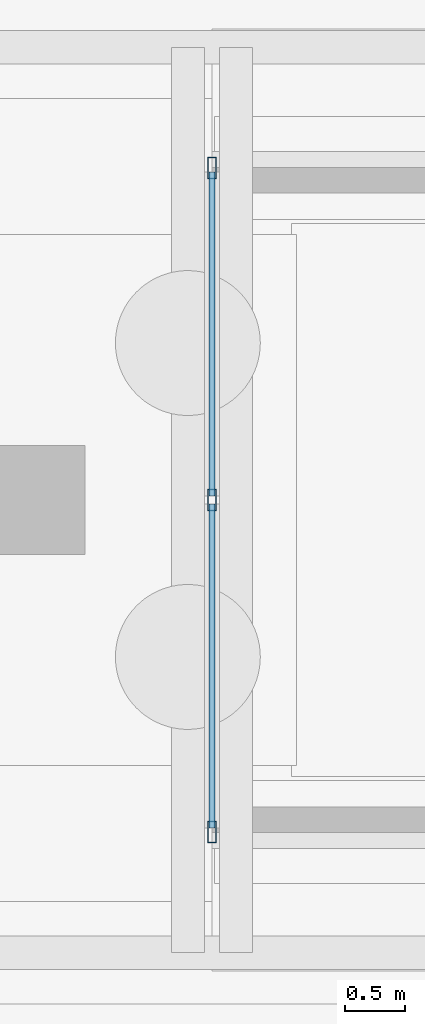
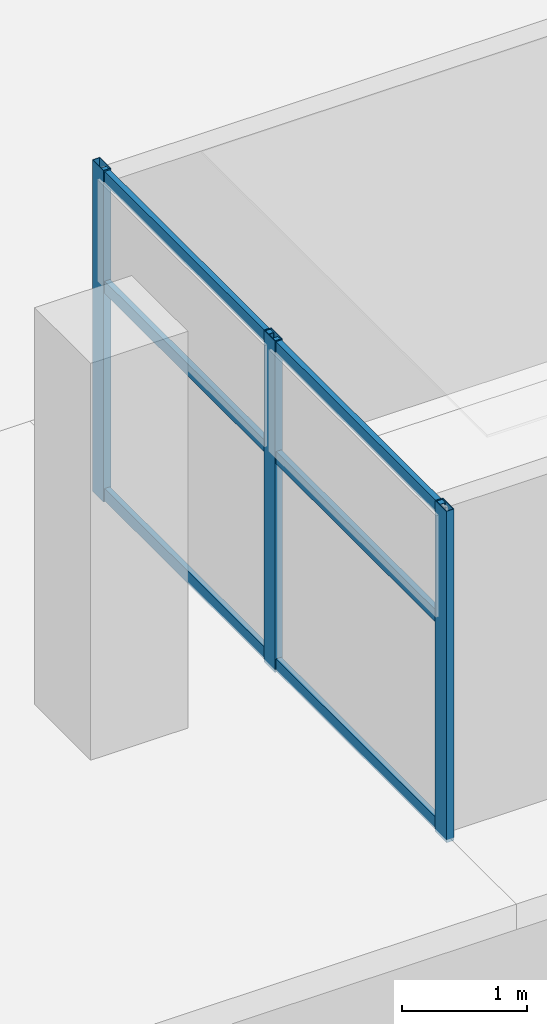
# One storey, part 58 of 160: 9 members, 1 element without a shape of its own.
"""IFC4 building model written with IfcOpenShell, lengths in metres."""

from ifc_helpers import new_model, si_unit, direction, frame, origin, origin_2d, place, context, subcontext, project, spatial, hollow_rectangle, extrude, material, layer, layer_set, material_profile, profile_set, type_object, element, aggregate, save


model = new_model("IFC4")

# Units and contexts
model_context = context("Model", 3, precision=1e-05, world=origin(), true_north=direction((0.0, 1.0)))
body_context = subcontext(model_context, "Body", "Model", "MODEL_VIEW")
ifc_project = project(units=[si_unit("LENGTHUNIT", "METRE"), si_unit("AREAUNIT", "SQUARE_METRE"), si_unit("VOLUMEUNIT", "CUBIC_METRE"), si_unit("PLANEANGLEUNIT", "RADIAN"), si_unit("MASSUNIT", "GRAM", prefix="KILO")], contexts=[model_context])

# Site, building, storey
site_placement = place(None, origin())
site = spatial("IfcSite", under=ifc_project, at=site_placement, CompositionType="ELEMENT")
building_placement = place(site_placement, origin())
building = spatial("IfcBuilding", under=site, at=building_placement, Name="Marlcrest Central Station", CompositionType="ELEMENT")
storey_placement = place(building_placement, origin())
storey = spatial("IfcBuildingStorey", under=building, at=storey_placement, Name="L00", CompositionType="ELEMENT", Elevation=0.0)

# Curtain wall, members
ifc_material_1 = material(Name="Anodised aluminium and hurricane laminated glass", Category="aluminium")
ifc_layer = layer(ifc_material_1, 0.179931640625, Name="CW-S1")
ifc_layer_set = layer_set([ifc_layer], Name="Anodised aluminium and hurricane laminated glass")
curtain_wall_type = type_object("IfcCurtainWallType", Name="CW-S1", PredefinedType="USERDEFINED", material=ifc_layer_set)
curtain_wall_placement = place(storey_placement, origin())
curtain_wall = element("IfcCurtainWall", 1, at=curtain_wall_placement, inside=storey, type_object=curtain_wall_type, Name="cw-L00-0173", ObjectType="STICK_CURTAIN_WALL", PredefinedType="USERDEFINED")
ifc_material_2 = material(Name="Anodised aluminium 6063-T6", Category="aluminium")
ifc_material_profile_1 = material_profile(ifc_material_2, hollow_rectangle(XDim=0.070068359375, YDim=0.179931640625, WallThickness=0.0048828125, at=origin_2d()), Name="AA-RHS 180x70x5")
ifc_profile_set_1 = profile_set([ifc_material_profile_1], Name="Anodised aluminium 6063-T6")
member_type_1 = type_object("IfcMemberType", Name="ML-02", PredefinedType="MULLION", material=ifc_profile_set_1)
member_1_placement = place(storey_placement, frame((10.5, 48.25, 0.885009765625), z_axis=(0.0, 0.0, 1.0), x_axis=(1.0, 0.0, 0.0)))
member_1 = element("IfcMember", 2, at=member_1_placement, type_object=member_type_1, Name="cw-L00-0173-ml-0", PredefinedType="MULLION", context=body_context, shape_type="SweptSolid", body=[
    extrude(hollow_rectangle(XDim=0.070068359375, YDim=0.179931640625, WallThickness=0.0048828125, at=origin_2d()), origin(), (0.0, 0.0, 1.0), 3.244873046875),
])
member_2_placement = place(storey_placement, frame((10.5, 51.0, 0.885009765625), z_axis=(0.0, 0.0, 1.0), x_axis=(1.0, 0.0, 0.0)))
member_2 = element("IfcMember", 3, at=member_2_placement, type_object=member_type_1, Name="cw-L00-0173-ml-1", PredefinedType="MULLION", context=body_context, shape_type="SweptSolid", body=[
    extrude(hollow_rectangle(XDim=0.070068359375, YDim=0.179931640625, WallThickness=0.0048828125, at=origin_2d()), origin(), (0.0, 0.0, 1.0), 3.244873046875),
])
member_3_placement = place(storey_placement, frame((10.5, 53.75, 0.885009765625), z_axis=(0.0, 0.0, 1.0), x_axis=(1.0, 0.0, 0.0)))
member_3 = element("IfcMember", 4, at=member_3_placement, type_object=member_type_1, Name="cw-L00-0173-ml-2", PredefinedType="MULLION", context=body_context, shape_type="SweptSolid", body=[
    extrude(hollow_rectangle(XDim=0.070068359375, YDim=0.179931640625, WallThickness=0.0048828125, at=origin_2d()), origin(), (0.0, 0.0, 1.0), 3.244873046875),
])
ifc_material_profile_2 = material_profile(ifc_material_2, hollow_rectangle(XDim=0.050048828125, YDim=0.1201171875, WallThickness=0.00390625, at=origin_2d()), Name="AA-RHS 120x50x4")
ifc_profile_set_2 = profile_set([ifc_material_profile_2], Name="Anodised aluminium 6063-T6")
member_type_2 = type_object("IfcMemberType", Name="TR-02", PredefinedType="USERDEFINED", material=ifc_profile_set_2)
member_4_placement = place(storey_placement, frame((10.5, 48.282958984375, 0.955078125), z_axis=(0.0, 1.0, 0.0), x_axis=(-1.0, 0.0, 0.0)))
member_4 = element("IfcMember", 5, at=member_4_placement, type_object=member_type_2, Name="cw-L00-0173-tr-0-sill", ObjectType="TRANSOM", PredefinedType="USERDEFINED", context=body_context, shape_type="SweptSolid", body=[
    extrude(hollow_rectangle(XDim=0.050048828125, YDim=0.1201171875, WallThickness=0.00390625, at=origin_2d()), origin(), (0.0, 0.0, 1.0), 2.68408203125),
])
member_5_placement = place(storey_placement, frame((10.5, 48.282958984375, 2.985107421875), z_axis=(0.0, 1.0, 0.0), x_axis=(-1.0, 0.0, 0.0)))
member_5 = element("IfcMember", 6, at=member_5_placement, type_object=member_type_2, Name="cw-L00-0173-tr-0-mid", ObjectType="TRANSOM", PredefinedType="USERDEFINED", context=body_context, shape_type="SweptSolid", body=[
    extrude(hollow_rectangle(XDim=0.050048828125, YDim=0.1201171875, WallThickness=0.00390625, at=origin_2d()), origin(), (0.0, 0.0, 1.0), 2.68408203125),
])
member_6_placement = place(storey_placement, frame((10.5, 48.282958984375, 4.06005859375), z_axis=(0.0, 1.0, 0.0), x_axis=(-1.0, 0.0, 0.0)))
member_6 = element("IfcMember", 7, at=member_6_placement, type_object=member_type_2, Name="cw-L00-0173-tr-0-head", ObjectType="TRANSOM", PredefinedType="USERDEFINED", context=body_context, shape_type="SweptSolid", body=[
    extrude(hollow_rectangle(XDim=0.050048828125, YDim=0.1201171875, WallThickness=0.00390625, at=origin_2d()), origin(), (0.0, 0.0, 1.0), 2.68408203125),
])
member_7_placement = place(storey_placement, frame((10.5, 51.032958984375, 0.955078125), z_axis=(0.0, 1.0, 0.0), x_axis=(-1.0, 0.0, 0.0)))
member_7 = element("IfcMember", 8, at=member_7_placement, type_object=member_type_2, Name="cw-L00-0173-tr-1-sill", ObjectType="TRANSOM", PredefinedType="USERDEFINED", context=body_context, shape_type="SweptSolid", body=[
    extrude(hollow_rectangle(XDim=0.050048828125, YDim=0.1201171875, WallThickness=0.00390625, at=origin_2d()), origin(), (0.0, 0.0, 1.0), 2.68408203125),
])
member_8_placement = place(storey_placement, frame((10.5, 51.032958984375, 2.985107421875), z_axis=(0.0, 1.0, 0.0), x_axis=(-1.0, 0.0, 0.0)))
member_8 = element("IfcMember", 9, at=member_8_placement, type_object=member_type_2, Name="cw-L00-0173-tr-1-mid", ObjectType="TRANSOM", PredefinedType="USERDEFINED", context=body_context, shape_type="SweptSolid", body=[
    extrude(hollow_rectangle(XDim=0.050048828125, YDim=0.1201171875, WallThickness=0.00390625, at=origin_2d()), origin(), (0.0, 0.0, 1.0), 2.68408203125),
])
member_9_placement = place(storey_placement, frame((10.5, 51.032958984375, 4.06005859375), z_axis=(0.0, 1.0, 0.0), x_axis=(-1.0, 0.0, 0.0)))
member_9 = element("IfcMember", 10, at=member_9_placement, type_object=member_type_2, Name="cw-L00-0173-tr-1-head", ObjectType="TRANSOM", PredefinedType="USERDEFINED", context=body_context, shape_type="SweptSolid", body=[
    extrude(hollow_rectangle(XDim=0.050048828125, YDim=0.1201171875, WallThickness=0.00390625, at=origin_2d()), origin(), (0.0, 0.0, 1.0), 2.68408203125),
])
aggregate(curtain_wall, [member_1, member_2, member_3, member_4, member_5, member_6, member_7, member_8, member_9])

save(model, "model.ifc")
